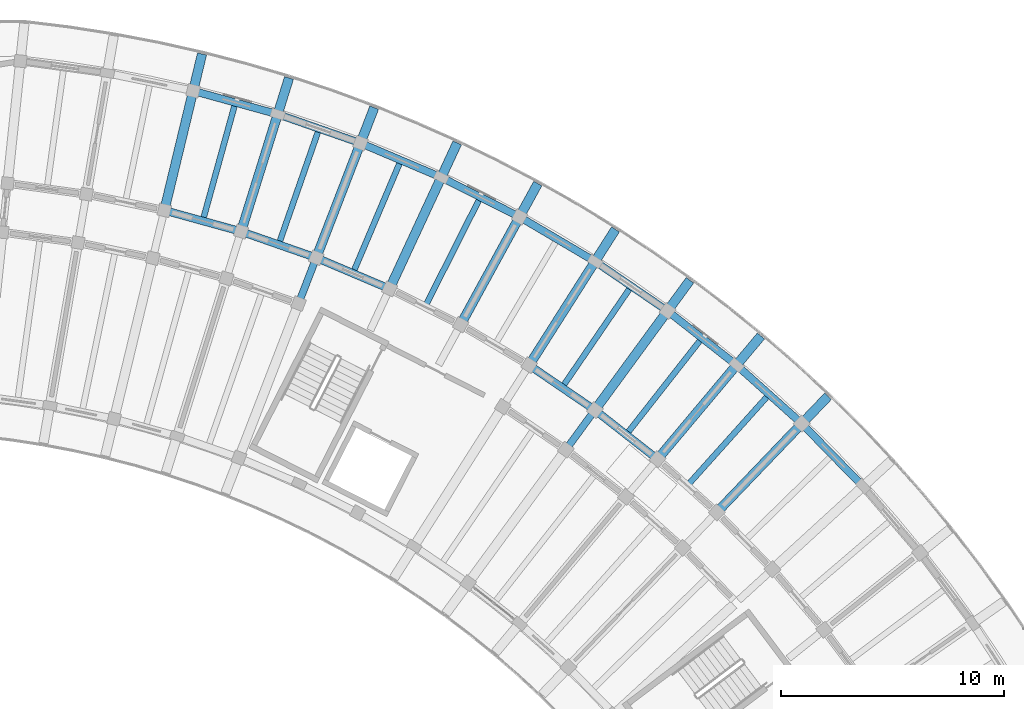
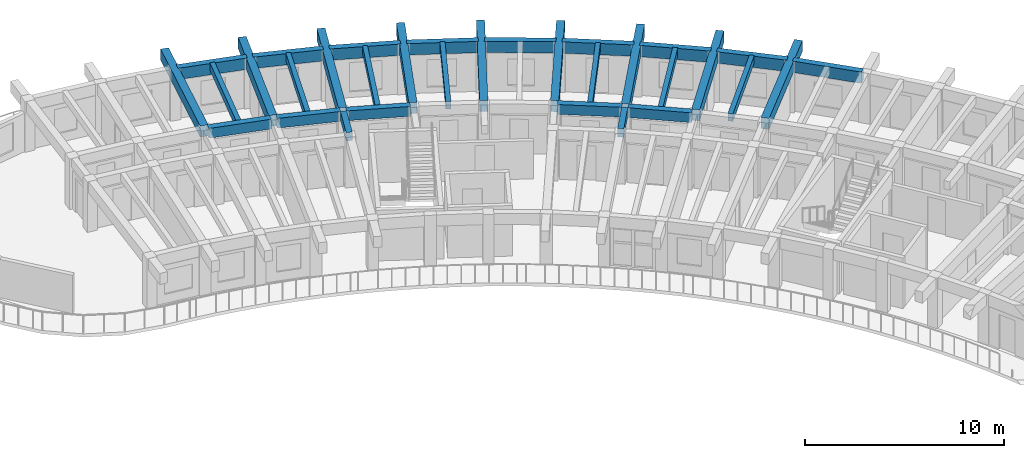
# One storey, part 22 of 81: 32 beams.
"""IFC4 building model written with IfcOpenShell, lengths in metres."""

from ifc_helpers import new_model, si_unit, direction, frame, origin, origin_2d, place, context, subcontext, project, spatial, rectangle, extrude, material, material_profile, profile_set, type_object, element, save


model = new_model("IFC4")

# Units and contexts
model_context = context("Model", 3, precision=1e-05, world=origin(), true_north=direction((0.0, 1.0)))
body_context = subcontext(model_context, "Body", "Model", "MODEL_VIEW")
ifc_project = project(units=[si_unit("LENGTHUNIT", "METRE"), si_unit("AREAUNIT", "SQUARE_METRE"), si_unit("VOLUMEUNIT", "CUBIC_METRE"), si_unit("PLANEANGLEUNIT", "RADIAN"), si_unit("MASSUNIT", "GRAM", prefix="KILO")], contexts=[model_context])

# Site, building, storey
site_placement = place(None, origin())
site = spatial("IfcSite", under=ifc_project, at=site_placement, CompositionType="ELEMENT")
building_placement = place(site_placement, origin())
building = spatial("IfcBuilding", under=site, at=building_placement, Name="Tanwirah Colonnade Gardens", CompositionType="ELEMENT")
storey_placement = place(building_placement, frame((0.0, 0.0, 8.840087890625)))
storey = spatial("IfcBuildingStorey", under=building, at=storey_placement, Name="L02", CompositionType="ELEMENT", Elevation=8.840087890625)

# Beams
ifc_material_1 = material(Name="Precast concrete C40/50", Category="concrete")
ifc_material_profile_1 = material_profile(ifc_material_1, rectangle(XDim=0.320068359375, YDim=0.52001953125, at=origin_2d()), Name="PC-BM 320x520")
ifc_profile_set_1 = profile_set([ifc_material_profile_1], Name="Precast concrete C40/50")
beam_type_1 = type_object("IfcBeamType", Name="BM-PC320", PredefinedType="BEAM", material=ifc_profile_set_1)
beam_1_placement = place(storey_placement, frame((151.727783203125, 102.14990234375, 2.844970703125), z_axis=(0.590895676149, 0.806747977939, 0.0), x_axis=(-0.806747977939, 0.590895676149, 0.0)))
element("IfcBeam", 1, at=beam_1_placement, inside=storey, type_object=beam_type_1, Name="Block B L02 Corridor Tie Beam 10", PredefinedType="BEAM", context=body_context, shape_type="SweptSolid", body=[
    extrude(rectangle(XDim=0.320068359375, YDim=0.52001953125, at=origin_2d()), origin(), (0.0, 0.0, 1.0), 1.900146484375),
])
beam_2_placement = place(storey_placement, frame((139.729248046875, 108.7099609375, 2.844970703125), z_axis=(0.360175656082, 0.932884503444, 0.0), x_axis=(-0.932884503444, 0.360175656082, 0.0)))
element("IfcBeam", 2, at=beam_2_placement, inside=storey, type_object=beam_type_1, Name="Block B L02 Corridor Tie Beam 14", PredefinedType="BEAM", context=body_context, shape_type="SweptSolid", body=[
    extrude(rectangle(XDim=0.320068359375, YDim=0.52001953125, at=origin_2d()), origin(), (0.0, 0.0, 1.0), 1.89990234375),
])
ifc_material_profile_2 = material_profile(ifc_material_1, rectangle(XDim=0.35009765625, YDim=0.60009765625, at=origin_2d()), Name="PC-BM 350x600")
ifc_profile_set_2 = profile_set([ifc_material_profile_2], Name="Precast concrete C40/50")
beam_type_2 = type_object("IfcBeamType", Name="BM-PC350B", PredefinedType="BEAM", material=ifc_profile_set_2)
for number, where, z_axis, x_axis, name in (
    (3, (155.624755859375, 101.697265625, 2.804931640625), (-0.786839882256, 0.617157192044, 0.0), (-0.617157192044, -0.786839882256, 0.0), "Block B L02 Circumferential Beam 9-R2"),
    (4, (152.815185546875, 103.888427734375, 2.804931640625), (-0.825782284145, 0.563989024, 0.0), (-0.563989024, -0.825782284145, 0.0), "Block B L02 Circumferential Beam 10-R2"),
):
    element("IfcBeam", number, at=place(storey_placement, frame(where, z_axis=z_axis, x_axis=x_axis)), inside=storey, type_object=beam_type_2, Name=name, PredefinedType="BEAM", context=body_context, shape_type="SweptSolid", body=[
        extrude(rectangle(XDim=0.35009765625, YDim=0.60009765625, at=origin_2d()), origin(), (0.0, 0.0, 1.0), 3.26318359375),
    ])
for number, where, z_axis, x_axis, name in (
    (5, (143.609375, 109.288818359375, 2.804931640625), (-0.920513294115, 0.390711242938, 0.0), (-0.390711242938, -0.920513294115, 0.0), "Block B L02 Circumferential Beam 13-R2"),
    (6, (140.325927734375, 110.671630859375, 2.804931640625), (-0.944231021702, 0.329283734272, 0.0), (-0.329283734272, -0.944231021702, 0.0), "Block B L02 Circumferential Beam 14-R2"),
):
    element("IfcBeam", number, at=place(storey_placement, frame(where, z_axis=z_axis, x_axis=x_axis)), inside=storey, type_object=beam_type_2, Name=name, PredefinedType="BEAM", context=body_context, shape_type="SweptSolid", body=[
        extrude(rectangle(XDim=0.35009765625, YDim=0.60009765625, at=origin_2d()), origin(), (0.0, 0.0, 1.0), 3.262939453125),
    ])
beam_3_placement = place(storey_placement, frame((136.95849609375, 111.83544921875, 2.804931640625), z_axis=(-0.9638953302, 0.266281415833, 0.0), x_axis=(-0.266281415833, -0.9638953302, 0.0)))
element("IfcBeam", 7, at=beam_3_placement, inside=storey, type_object=beam_type_2, Name="Block B L02 Circumferential Beam 15-R2", PredefinedType="BEAM", context=body_context, shape_type="SweptSolid", body=[
    extrude(rectangle(XDim=0.35009765625, YDim=0.60009765625, at=origin_2d()), origin(), (0.0, 0.0, 1.0), 3.26318359375),
])
ifc_material_2 = material(Name="Precast concrete C45/55", Category="concrete")
ifc_material_profile_3 = material_profile(ifc_material_2, rectangle(XDim=0.419921875, YDim=0.679931640625, at=origin_2d()), Name="PC-BM 420x680")
ifc_profile_set_3 = profile_set([ifc_material_profile_3], Name="Precast concrete C45/55")
beam_type_3 = type_object("IfcBeamType", Name="BM-PC420", PredefinedType="BEAM", material=ifc_profile_set_3)
beam_4_placement = place(storey_placement, frame((158.4990234375, 99.333984375, 2.764892578125), z_axis=(0.691864746793, 0.722027127015, 0.0), x_axis=(-0.722027127015, 0.691864746793, 0.0)))
element("IfcBeam", 8, at=beam_4_placement, inside=storey, type_object=beam_type_3, Name="Block B L02 Outer Radial Precast Girder 8", PredefinedType="BEAM", context=body_context, shape_type="SweptSolid", body=[
    extrude(rectangle(XDim=0.419921875, YDim=0.679931640625, at=origin_2d()), origin(), (0.0, 0.0, 1.0), 7.050048828125),
])
beam_5_placement = place(storey_placement, frame((155.839111328125, 101.7197265625, 2.764892578125), z_axis=(0.642810291951, 0.766025409867, 0.0), x_axis=(-0.766025409867, 0.642810291951, 0.0)))
element("IfcBeam", 9, at=beam_5_placement, inside=storey, type_object=beam_type_3, Name="Block B L02 Outer Radial Precast Girder 9", PredefinedType="BEAM", context=body_context, shape_type="SweptSolid", body=[
    extrude(rectangle(XDim=0.419921875, YDim=0.679931640625, at=origin_2d()), origin(), (0.0, 0.0, 1.0), 7.0498046875),
])
for number, where, z_axis, x_axis, name in (
    (10, (153.02783203125, 103.9248046875, 2.764892578125), (0.590919194225, 0.806730751798, 0.0), (-0.806730751798, 0.590919194225, 0.0), "Block B L02 Outer Radial Precast Girder 10"),
    (11, (150.077392578125, 105.93994140625, 2.764892578125), (0.536451921133, 0.843930883611, 0.0), (-0.843930883611, 0.536451921133, 0.0), "Block B L02 Outer Radial Precast Girder 11"),
    (12, (147.00048828125, 107.75634765625, 2.764892578125), (0.479686549155, 0.877439920769, 0.0), (-0.877439920769, 0.479686549155, 0.0), "Block B L02 Outer Radial Precast Girder 12"),
    (13, (143.810546875, 109.3662109375, 2.764892578125), (0.420855908645, 0.9071275016, 0.0), (-0.9071275016, 0.420855908645, 0.0), "Block B L02 Outer Radial Precast Girder 13"),
    (14, (140.521728515625, 110.76220703125, 2.764892578125), (0.360150678391, 0.932894146651, 0.0), (-0.932894146651, 0.360150678391, 0.0), "Block B L02 Outer Radial Precast Girder 14"),
    (15, (137.147705078125, 111.938720703125, 2.764892578125), (0.297957513373, 0.954579132511, 0.0), (-0.954579132511, 0.297957513373, 0.0), "Block B L02 Outer Radial Precast Girder 15"),
):
    element("IfcBeam", number, at=place(storey_placement, frame(where, z_axis=z_axis, x_axis=x_axis)), inside=storey, type_object=beam_type_3, Name=name, PredefinedType="BEAM", context=body_context, shape_type="SweptSolid", body=[
        extrude(rectangle(XDim=0.419921875, YDim=0.679931640625, at=origin_2d()), origin(), (0.0, 0.0, 1.0), 7.050048828125),
    ])
beam_6_placement = place(storey_placement, frame((133.703857421875, 112.89013671875, 2.764892578125), z_axis=(0.234378734126, 0.972145364125, 0.0), x_axis=(-0.972145364125, 0.234378734126, 0.0)))
element("IfcBeam", 16, at=beam_6_placement, inside=storey, type_object=beam_type_3, Name="Block B L02 Outer Radial Precast Girder 16", PredefinedType="BEAM", context=body_context, shape_type="SweptSolid", body=[
    extrude(rectangle(XDim=0.419921875, YDim=0.679931640625, at=origin_2d()), origin(), (0.0, 0.0, 1.0), 7.0498046875),
])
ifc_material_profile_4 = material_profile(ifc_material_1, rectangle(XDim=0.260009765625, YDim=0.4599609375, at=origin_2d()), Name="PC-JST 260x460")
ifc_profile_set_4 = profile_set([ifc_material_profile_4], Name="Precast concrete C40/50")
beam_type_4 = type_object("IfcBeamType", Name="JST-PC260", PredefinedType="JOIST", material=ifc_profile_set_4)
for number, where, z_axis, x_axis, name in (
    (17, (157.168701171875, 100.5263671875, 2.875), (0.667678987176, 0.744449306591, 0.0), (-0.744449306591, 0.667678987176, 0.0), "Block B L02 Precast Floor Joist 8"),
    (18, (154.43310546875, 102.82177734375, 2.875), (0.617177687243, 0.786823806433, 0.0), (-0.786823806433, 0.617177687243, 0.0), "Block B L02 Precast Floor Joist 9"),
    (19, (151.55224609375, 104.931884765625, 2.875), (0.563973225998, 0.825793073571, 0.0), (-0.825793073571, 0.563973225998, 0.0), "Block B L02 Precast Floor Joist 10"),
):
    element("IfcBeam", number, at=place(storey_placement, frame(where, z_axis=z_axis, x_axis=x_axis)), inside=storey, type_object=beam_type_4, Name=name, PredefinedType="JOIST", context=body_context, shape_type="SweptSolid", body=[
        extrude(rectangle(XDim=0.260009765625, YDim=0.4599609375, at=origin_2d()), origin(), (0.0, 0.0, 1.0), 5.260009765625),
    ])
beam_7_placement = place(storey_placement, frame((145.4052734375, 108.560791015625, 2.875), z_axis=(0.450533699488, 0.892759422031, 0.0), x_axis=(-0.892759422031, 0.450533699488, 0.0)))
element("IfcBeam", 20, at=beam_7_placement, inside=storey, type_object=beam_type_4, Name="Block B L02 Precast Floor Joist 12", PredefinedType="JOIST", context=body_context, shape_type="SweptSolid", body=[
    extrude(rectangle(XDim=0.260009765625, YDim=0.4599609375, at=origin_2d()), origin(), (0.0, 0.0, 1.0), 5.26025390625),
])
for number, where, z_axis, x_axis, name in (
    (21, (142.166015625, 110.063720703125, 2.875), (0.390723870106, 0.92050793442, 0.0), (-0.92050793442, 0.390723870106, 0.0), "Block B L02 Precast Floor Joist 13"),
    (22, (138.83447265625, 111.349853515625, 2.875), (0.3292586038, 0.944239785131, 0.0), (-0.944239785131, 0.3292586038, 0.0), "Block B L02 Precast Floor Joist 14"),
    (23, (135.42578125, 112.413818359375, 2.875), (0.266281476085, 0.963895313555, 0.0), (-0.963895313555, 0.266281476085, 0.0), "Block B L02 Precast Floor Joist 15"),
):
    element("IfcBeam", number, at=place(storey_placement, frame(where, z_axis=z_axis, x_axis=x_axis)), inside=storey, type_object=beam_type_4, Name=name, PredefinedType="JOIST", context=body_context, shape_type="SweptSolid", body=[
        extrude(rectangle(XDim=0.260009765625, YDim=0.4599609375, at=origin_2d()), origin(), (0.0, 0.0, 1.0), 5.260009765625),
    ])
ifc_material_profile_5 = material_profile(ifc_material_1, rectangle(XDim=0.3349609375, YDim=0.695068359375, at=origin_2d()), Name="PC-SP 335x695")
ifc_profile_set_5 = profile_set([ifc_material_profile_5], Name="Precast concrete C40/50")
beam_type_5 = type_object("IfcBeamType", Name="SP-PC300", PredefinedType="SPANDREL", material=ifc_profile_set_5)
beam_8_placement = place(storey_placement, frame((164.839111328125, 100.49609375, 2.75732421875), z_axis=(-0.698844493997, 0.715273635199, 0.0), x_axis=(-0.715273635199, -0.698844493997, 0.0)))
element("IfcBeam", 24, at=beam_8_placement, inside=storey, type_object=beam_type_5, Name="Block B L02 Circumferential Beam 7-R3", PredefinedType="SPANDREL", context=body_context, shape_type="SweptSolid", body=[
    extrude(rectangle(XDim=0.3349609375, YDim=0.695068359375, at=origin_2d()), origin(), (0.0, 0.0, 1.0), 3.6259765625),
])
beam_9_placement = place(storey_placement, frame((162.0888671875, 103.296875, 2.75732421875), z_axis=(-0.744444790955, 0.667684021989, 0.0), x_axis=(-0.667684021989, -0.744444790955, 0.0)))
element("IfcBeam", 25, at=beam_9_placement, inside=storey, type_object=beam_type_5, Name="Block B L02 Circumferential Beam 8-R3", PredefinedType="SPANDREL", context=body_context, shape_type="SweptSolid", body=[
    extrude(rectangle(XDim=0.3349609375, YDim=0.695068359375, at=origin_2d()), origin(), (0.0, 0.0, 1.0), 3.625732421875),
])
beam_10_placement = place(storey_placement, frame((159.159912109375, 105.91064453125, 2.75732421875), z_axis=(-0.786843799845, 0.617152197311, 0.0), x_axis=(-0.617152197311, -0.786843799845, 0.0)))
element("IfcBeam", 26, at=beam_10_placement, inside=storey, type_object=beam_type_5, Name="Block B L02 Circumferential Beam 9-R3", PredefinedType="SPANDREL", context=body_context, shape_type="SweptSolid", body=[
    extrude(rectangle(XDim=0.3349609375, YDim=0.695068359375, at=origin_2d()), origin(), (0.0, 0.0, 1.0), 3.62548828125),
])
for number, where, z_axis, x_axis, name in (
    (27, (156.0654296875, 108.325439453125, 2.75732421875), (-0.825782625102, 0.563988524776, 0.0), (-0.563988524776, -0.825782625102, 0.0), "Block B L02 Circumferential Beam 10-R3"),
    (28, (152.818359375, 110.53125, 2.75732421875), (-0.861136912545, 0.5083731089, 0.0), (-0.5083731089, -0.861136912545, 0.0), "Block B L02 Circumferential Beam 11-R3"),
):
    element("IfcBeam", number, at=place(storey_placement, frame(where, z_axis=z_axis, x_axis=x_axis)), inside=storey, type_object=beam_type_5, Name=name, PredefinedType="SPANDREL", context=body_context, shape_type="SweptSolid", body=[
        extrude(rectangle(XDim=0.3349609375, YDim=0.695068359375, at=origin_2d()), origin(), (0.0, 0.0, 1.0), 3.625732421875),
    ])
beam_11_placement = place(storey_placement, frame((149.43310546875, 112.518310546875, 2.75732421875), z_axis=(-0.892764670911, 0.450523298368, 0.0), x_axis=(-0.450523298368, -0.892764670911, 0.0)))
element("IfcBeam", 29, at=beam_11_placement, inside=storey, type_object=beam_type_5, Name="Block B L02 Circumferential Beam 12-R3", PredefinedType="SPANDREL", context=body_context, shape_type="SweptSolid", body=[
    extrude(rectangle(XDim=0.3349609375, YDim=0.695068359375, at=origin_2d()), origin(), (0.0, 0.0, 1.0), 3.6259765625),
])
for number, where, z_axis, x_axis, name in (
    (30, (145.924072265625, 114.27783203125, 2.75732421875), (-0.920494456807, 0.390755620545, 0.0), (-0.390755620545, -0.920494456807, 0.0), "Block B L02 Circumferential Beam 13-R3"),
    (31, (142.306884765625, 115.802490234375, 2.75732421875), (-0.944236700093, 0.329267450863, 0.0), (-0.329267450863, -0.944236700093, 0.0), "Block B L02 Circumferential Beam 14-R3"),
    (32, (138.59716796875, 117.085693359375, 2.75732421875), (-0.963888380927, 0.266306569792, 0.0), (-0.266306569792, -0.963888380927, 0.0), "Block B L02 Circumferential Beam 15-R3"),
):
    element("IfcBeam", number, at=place(storey_placement, frame(where, z_axis=z_axis, x_axis=x_axis)), inside=storey, type_object=beam_type_5, Name=name, PredefinedType="SPANDREL", context=body_context, shape_type="SweptSolid", body=[
        extrude(rectangle(XDim=0.3349609375, YDim=0.695068359375, at=origin_2d()), origin(), (0.0, 0.0, 1.0), 3.625732421875),
    ])

save(model, "model.ifc")
